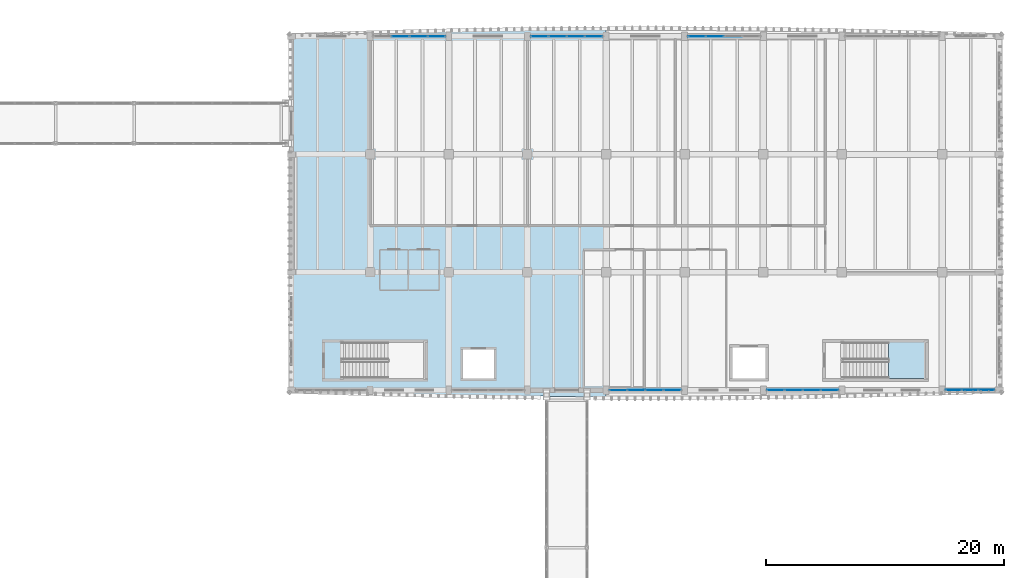
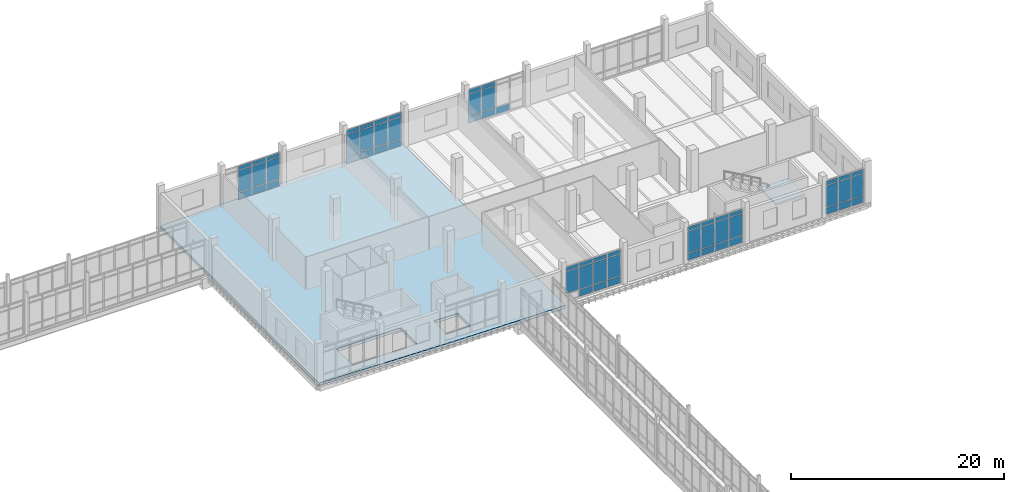
# One storey, part 78 of 125: 60 plates, 2 slabs, 7 elements without a shape of their own.
"""IFC4 building model written with IfcOpenShell, lengths in metres."""

from ifc_helpers import new_model, si_unit, direction, frame, origin, origin_2d, place, context, subcontext, project, spatial, polyline, rectangle, outline, extrude, material, layer, layer_set, type_object, element, aggregate, save


model = new_model("IFC4")

# Units and contexts
model_context = context("Model", 3, precision=1e-05, world=origin(), true_north=direction((0.0, 1.0)))
body_context = subcontext(model_context, "Body", "Model", "MODEL_VIEW")
ifc_project = project(units=[si_unit("LENGTHUNIT", "METRE"), si_unit("AREAUNIT", "SQUARE_METRE"), si_unit("VOLUMEUNIT", "CUBIC_METRE"), si_unit("PLANEANGLEUNIT", "RADIAN"), si_unit("MASSUNIT", "GRAM", prefix="KILO")], contexts=[model_context])

# Site, building, storey
site_placement = place(None, origin())
site = spatial("IfcSite", under=ifc_project, at=site_placement, CompositionType="ELEMENT")
building_placement = place(site_placement, origin())
building = spatial("IfcBuilding", under=site, at=building_placement, Name="Dornvale Research Institute", CompositionType="ELEMENT")
storey_placement = place(building_placement, frame((0.0, 0.0, 5.39990234375)))
storey = spatial("IfcBuildingStorey", under=building, at=storey_placement, Name="L01", CompositionType="ELEMENT", Elevation=5.39990234375)

# Curtain wall, plates
ifc_material_1 = material(Name="Low-E Argon Double Insulating Glazing Unit", Category="glass")
curtain_wall_type_1 = type_object("IfcCurtainWallType", Name="UnitisedCurtainWall_V4_6100x3950", PredefinedType="USERDEFINED", material=ifc_material_1)
curtain_wall_1_placement = place(storey_placement, origin())
curtain_wall_1 = element("IfcCurtainWall", 1, at=curtain_wall_1_placement, inside=storey, type_object=curtain_wall_type_1, Name="L01 V4 unitised curtain wall CW-11 #73", ObjectType="UNITISED CURTAIN WALL", PredefinedType="USERDEFINED")
ifc_material_2 = material(Name="Insulated Ceramic-Frit Spandrel Glass Panel", Category="glass")
ifc_layer_1 = layer(ifc_material_2, 0.0419921875)
ifc_layer_set_1 = layer_set([ifc_layer_1], Name="Insulated Ceramic-Frit Spandrel Glass Panel")
plate_type_1 = type_object("IfcPlateType", Name="CurtainPanel_Spandrel_42", PredefinedType="CURTAIN_PANEL", material=ifc_layer_set_1)
plate_1_placement = place(storey_placement, frame((127.9375, 122.10009765625, 0.065185546875), z_axis=(0.0, 0.0, 1.0), x_axis=(1.0, 0.0, 0.0)))
plate_1 = element("IfcPlate", 2, at=plate_1_placement, type_object=plate_type_1, Name="CW-11 panel 2.1", PredefinedType="CURTAIN_PANEL", context=body_context, shape_type="SweptSolid", body=[
    extrude(rectangle(XDim=1.4599609375, YDim=0.0419921875, at=origin_2d()), origin(), (0.0, 0.0, 1.0), 0.75244140625),
])
plate_2_placement = place(storey_placement, frame((129.46240234375, 122.10009765625, 0.065185546875), z_axis=(0.0, 0.0, 1.0), x_axis=(1.0, 0.0, 0.0)))
plate_2 = element("IfcPlate", 3, at=plate_2_placement, type_object=plate_type_1, Name="CW-11 panel 3.1", PredefinedType="CURTAIN_PANEL", context=body_context, shape_type="SweptSolid", body=[
    extrude(rectangle(XDim=1.4599609375, YDim=0.0419921875, at=origin_2d()), origin(), (0.0, 0.0, 1.0), 0.75244140625),
])
plate_3_placement = place(storey_placement, frame((130.97119140625, 122.10009765625, 0.065185546875), z_axis=(0.0, 0.0, 1.0), x_axis=(1.0, 0.0, 0.0)))
plate_3 = element("IfcPlate", 4, at=plate_3_placement, type_object=plate_type_1, Name="CW-11 panel 4.1", PredefinedType="CURTAIN_PANEL", context=body_context, shape_type="SweptSolid", body=[
    extrude(rectangle(XDim=1.427490234375, YDim=0.0419921875, at=origin_2d()), origin(), (0.0, 0.0, 1.0), 0.75244140625),
])

curtain_wall_2_placement = place(storey_placement, origin())
curtain_wall_2 = element("IfcCurtainWall", 5, at=curtain_wall_2_placement, inside=storey, type_object=curtain_wall_type_1, Name="L01 V4 unitised curtain wall CW-11 #74", ObjectType="UNITISED CURTAIN WALL", PredefinedType="USERDEFINED")
plate_4_placement = place(storey_placement, frame((139.628662109375, 122.10009765625, 0.065185546875), z_axis=(0.0, 0.0, 1.0), x_axis=(1.0, 0.0, 0.0)))
plate_4 = element("IfcPlate", 6, at=plate_4_placement, type_object=plate_type_1, Name="CW-11 panel 1.1", PredefinedType="CURTAIN_PANEL", context=body_context, shape_type="SweptSolid", body=[
    extrude(rectangle(XDim=1.427490234375, YDim=0.0419921875, at=origin_2d()), origin(), (0.0, 0.0, 1.0), 0.75244140625),
])
plate_5_placement = place(storey_placement, frame((141.137451171875, 122.10009765625, 0.065185546875), z_axis=(0.0, 0.0, 1.0), x_axis=(1.0, 0.0, 0.0)))
plate_5 = element("IfcPlate", 7, at=plate_5_placement, type_object=plate_type_1, Name="CW-11 panel 2.1", PredefinedType="CURTAIN_PANEL", context=body_context, shape_type="SweptSolid", body=[
    extrude(rectangle(XDim=1.4599609375, YDim=0.0419921875, at=origin_2d()), origin(), (0.0, 0.0, 1.0), 0.75244140625),
])
plate_6_placement = place(storey_placement, frame((142.66259765625, 122.10009765625, 0.065185546875), z_axis=(0.0, 0.0, 1.0), x_axis=(1.0, 0.0, 0.0)))
plate_6 = element("IfcPlate", 8, at=plate_6_placement, type_object=plate_type_1, Name="CW-11 panel 3.1", PredefinedType="CURTAIN_PANEL", context=body_context, shape_type="SweptSolid", body=[
    extrude(rectangle(XDim=1.4599609375, YDim=0.0419921875, at=origin_2d()), origin(), (0.0, 0.0, 1.0), 0.75244140625),
])
plate_7_placement = place(storey_placement, frame((144.171142578125, 122.10009765625, 0.065185546875), z_axis=(0.0, 0.0, 1.0), x_axis=(1.0, 0.0, 0.0)))
plate_7 = element("IfcPlate", 9, at=plate_7_placement, type_object=plate_type_1, Name="CW-11 panel 4.1", PredefinedType="CURTAIN_PANEL", context=body_context, shape_type="SweptSolid", body=[
    extrude(rectangle(XDim=1.427490234375, YDim=0.0419921875, at=origin_2d()), origin(), (0.0, 0.0, 1.0), 0.75244140625),
])

curtain_wall_3_placement = place(storey_placement, origin())
curtain_wall_3 = element("IfcCurtainWall", 10, at=curtain_wall_3_placement, inside=storey, type_object=curtain_wall_type_1, Name="L01 V4 unitised curtain wall CW-11 #75", ObjectType="UNITISED CURTAIN WALL", PredefinedType="USERDEFINED")
plate_8_placement = place(storey_placement, frame((152.828857421875, 122.10009765625, 0.065185546875), z_axis=(0.0, 0.0, 1.0), x_axis=(1.0, 0.0, 0.0)))
plate_8 = element("IfcPlate", 11, at=plate_8_placement, type_object=plate_type_1, Name="CW-11 panel 1.1", PredefinedType="CURTAIN_PANEL", context=body_context, shape_type="SweptSolid", body=[
    extrude(rectangle(XDim=1.427490234375, YDim=0.0419921875, at=origin_2d()), origin(), (0.0, 0.0, 1.0), 0.75244140625),
])
plate_9_placement = place(storey_placement, frame((154.33740234375, 122.10009765625, 0.065185546875), z_axis=(0.0, 0.0, 1.0), x_axis=(1.0, 0.0, 0.0)))
plate_9 = element("IfcPlate", 12, at=plate_9_placement, type_object=plate_type_1, Name="CW-11 panel 2.1", PredefinedType="CURTAIN_PANEL", context=body_context, shape_type="SweptSolid", body=[
    extrude(rectangle(XDim=1.4599609375, YDim=0.0419921875, at=origin_2d()), origin(), (0.0, 0.0, 1.0), 0.75244140625),
])
plate_10_placement = place(storey_placement, frame((155.862548828125, 122.10009765625, 0.065185546875), z_axis=(0.0, 0.0, 1.0), x_axis=(1.0, 0.0, 0.0)))
plate_10 = element("IfcPlate", 13, at=plate_10_placement, type_object=plate_type_1, Name="CW-11 panel 3.1", PredefinedType="CURTAIN_PANEL", context=body_context, shape_type="SweptSolid", body=[
    extrude(rectangle(XDim=1.4599609375, YDim=0.0419921875, at=origin_2d()), origin(), (0.0, 0.0, 1.0), 0.75244140625),
])

ifc_material_3 = material(Name="Low-E Argon Double Insulating Glazing Unit", Category="glass")
curtain_wall_type_2 = type_object("IfcCurtainWallType", Name="UnitisedCurtainWall_V4_4200x3950", PredefinedType="USERDEFINED", material=ifc_material_3)
curtain_wall_4_placement = place(storey_placement, origin())
curtain_wall_4 = element("IfcCurtainWall", 14, at=curtain_wall_4_placement, inside=storey, type_object=curtain_wall_type_2, Name="L01 V4 unitised curtain wall CW-13 #77", ObjectType="UNITISED CURTAIN WALL", PredefinedType="USERDEFINED")
plate_11_placement = place(storey_placement, frame((177.1337890625, 92.39990234375, 0.065185546875), z_axis=(0.0, 0.0, 1.0), x_axis=(-1.0, 0.0, 0.0)))
plate_11 = element("IfcPlate", 15, at=plate_11_placement, type_object=plate_type_1, Name="CW-13 panel 1.1", PredefinedType="CURTAIN_PANEL", context=body_context, shape_type="SweptSolid", body=[
    extrude(rectangle(XDim=1.302490234375, YDim=0.0419921875, at=origin_2d()), origin(), (0.0, 0.0, 1.0), 0.75244140625),
])
plate_12_placement = place(storey_placement, frame((175.75, 92.39990234375, 0.065185546875), z_axis=(0.0, 0.0, 1.0), x_axis=(-1.0, 0.0, 0.0)))
plate_12 = element("IfcPlate", 16, at=plate_12_placement, type_object=plate_type_1, Name="CW-13 panel 2.1", PredefinedType="CURTAIN_PANEL", context=body_context, shape_type="SweptSolid", body=[
    extrude(rectangle(XDim=1.3349609375, YDim=0.0419921875, at=origin_2d()), origin(), (0.0, 0.0, 1.0), 0.75244140625),
])
plate_13_placement = place(storey_placement, frame((174.3662109375, 92.39990234375, 0.065185546875), z_axis=(0.0, 0.0, 1.0), x_axis=(-1.0, 0.0, 0.0)))
plate_13 = element("IfcPlate", 17, at=plate_13_placement, type_object=plate_type_1, Name="CW-13 panel 3.1", PredefinedType="CURTAIN_PANEL", context=body_context, shape_type="SweptSolid", body=[
    extrude(rectangle(XDim=1.302490234375, YDim=0.0419921875, at=origin_2d()), origin(), (0.0, 0.0, 1.0), 0.75244140625),
])

curtain_wall_5_placement = place(storey_placement, origin())
curtain_wall_5 = element("IfcCurtainWall", 18, at=curtain_wall_5_placement, inside=storey, type_object=curtain_wall_type_1, Name="L01 V4 unitised curtain wall CW-11 #78", ObjectType="UNITISED CURTAIN WALL", PredefinedType="USERDEFINED")
plate_14_placement = place(storey_placement, frame((163.97119140625, 92.39990234375, 0.065185546875), z_axis=(0.0, 0.0, 1.0), x_axis=(-1.0, 0.0, 0.0)))
plate_14 = element("IfcPlate", 19, at=plate_14_placement, type_object=plate_type_1, Name="CW-11 panel 1.1", PredefinedType="CURTAIN_PANEL", context=body_context, shape_type="SweptSolid", body=[
    extrude(rectangle(XDim=1.427490234375, YDim=0.0419921875, at=origin_2d()), origin(), (0.0, 0.0, 1.0), 0.75244140625),
])
plate_15_placement = place(storey_placement, frame((162.46240234375, 92.39990234375, 0.065185546875), z_axis=(0.0, 0.0, 1.0), x_axis=(-1.0, 0.0, 0.0)))
plate_15 = element("IfcPlate", 20, at=plate_15_placement, type_object=plate_type_1, Name="CW-11 panel 2.1", PredefinedType="CURTAIN_PANEL", context=body_context, shape_type="SweptSolid", body=[
    extrude(rectangle(XDim=1.4599609375, YDim=0.0419921875, at=origin_2d()), origin(), (0.0, 0.0, 1.0), 0.75244140625),
])
plate_16_placement = place(storey_placement, frame((160.9375, 92.39990234375, 0.065185546875), z_axis=(0.0, 0.0, 1.0), x_axis=(-1.0, 0.0, 0.0)))
plate_16 = element("IfcPlate", 21, at=plate_16_placement, type_object=plate_type_1, Name="CW-11 panel 3.1", PredefinedType="CURTAIN_PANEL", context=body_context, shape_type="SweptSolid", body=[
    extrude(rectangle(XDim=1.4599609375, YDim=0.0419921875, at=origin_2d()), origin(), (0.0, 0.0, 1.0), 0.75244140625),
])
plate_17_placement = place(storey_placement, frame((159.4287109375, 92.39990234375, 0.065185546875), z_axis=(0.0, 0.0, 1.0), x_axis=(-1.0, 0.0, 0.0)))
plate_17 = element("IfcPlate", 22, at=plate_17_placement, type_object=plate_type_1, Name="CW-11 panel 4.1", PredefinedType="CURTAIN_PANEL", context=body_context, shape_type="SweptSolid", body=[
    extrude(rectangle(XDim=1.427490234375, YDim=0.0419921875, at=origin_2d()), origin(), (0.0, 0.0, 1.0), 0.75244140625),
])

curtain_wall_6_placement = place(storey_placement, origin())
curtain_wall_6 = element("IfcCurtainWall", 23, at=curtain_wall_6_placement, inside=storey, type_object=curtain_wall_type_1, Name="L01 V4 unitised curtain wall CW-11 #79", ObjectType="UNITISED CURTAIN WALL", PredefinedType="USERDEFINED")
plate_18_placement = place(storey_placement, frame((150.771240234375, 92.39990234375, 0.065185546875), z_axis=(0.0, 0.0, 1.0), x_axis=(-1.0, 0.0, 0.0)))
plate_18 = element("IfcPlate", 24, at=plate_18_placement, type_object=plate_type_1, Name="CW-11 panel 1.1", PredefinedType="CURTAIN_PANEL", context=body_context, shape_type="SweptSolid", body=[
    extrude(rectangle(XDim=1.427490234375, YDim=0.0419921875, at=origin_2d()), origin(), (0.0, 0.0, 1.0), 0.75244140625),
])
plate_19_placement = place(storey_placement, frame((149.262451171875, 92.39990234375, 0.065185546875), z_axis=(0.0, 0.0, 1.0), x_axis=(-1.0, 0.0, 0.0)))
plate_19 = element("IfcPlate", 25, at=plate_19_placement, type_object=plate_type_1, Name="CW-11 panel 2.1", PredefinedType="CURTAIN_PANEL", context=body_context, shape_type="SweptSolid", body=[
    extrude(rectangle(XDim=1.4599609375, YDim=0.0419921875, at=origin_2d()), origin(), (0.0, 0.0, 1.0), 0.75244140625),
])
plate_20_placement = place(storey_placement, frame((147.737548828125, 92.39990234375, 0.065185546875), z_axis=(0.0, 0.0, 1.0), x_axis=(-1.0, 0.0, 0.0)))
plate_20 = element("IfcPlate", 26, at=plate_20_placement, type_object=plate_type_1, Name="CW-11 panel 3.1", PredefinedType="CURTAIN_PANEL", context=body_context, shape_type="SweptSolid", body=[
    extrude(rectangle(XDim=1.4599609375, YDim=0.0419921875, at=origin_2d()), origin(), (0.0, 0.0, 1.0), 0.75244140625),
])

# Plate
ifc_material_4 = material(Name="Low-E Argon Double Insulating Glazing Unit", Category="glass")
ifc_layer_2 = layer(ifc_material_4, 0.028076171875)
ifc_layer_set_2 = layer_set([ifc_layer_2], Name="Low-E Argon Double Insulating Glazing Unit")
plate_type_2 = type_object("IfcPlateType", Name="CurtainPanel_Vision_28", PredefinedType="CURTAIN_PANEL", material=ifc_layer_set_2)
plate_21_placement = place(storey_placement, frame((127.9375, 122.10009765625, 0.88232421875), z_axis=(0.0, 0.0, 1.0), x_axis=(1.0, 0.0, 0.0)))
plate_21 = element("IfcPlate", 27, at=plate_21_placement, type_object=plate_type_2, Name="CW-11 panel 2.2", PredefinedType="CURTAIN_PANEL", context=body_context, shape_type="SweptSolid", body=[
    extrude(rectangle(XDim=1.4599609375, YDim=0.028076171875, at=origin_2d()), origin(), (0.0, 0.0, 1.0), 2.485107421875),
])

plate_22_placement = place(storey_placement, frame((127.9375, 122.10009765625, 3.4326171875), z_axis=(0.0, 0.0, 1.0), x_axis=(1.0, 0.0, 0.0)))
plate_22 = element("IfcPlate", 28, at=plate_22_placement, type_object=plate_type_2, Name="CW-11 panel 2.3", PredefinedType="CURTAIN_PANEL", context=body_context, shape_type="SweptSolid", body=[
    extrude(rectangle(XDim=1.4599609375, YDim=0.028076171875, at=origin_2d()), origin(), (0.0, 0.0, 1.0), 0.452392578125),
])

plate_23_placement = place(storey_placement, frame((129.46240234375, 122.10009765625, 0.88232421875), z_axis=(0.0, 0.0, 1.0), x_axis=(1.0, 0.0, 0.0)))
plate_23 = element("IfcPlate", 29, at=plate_23_placement, type_object=plate_type_2, Name="CW-11 panel 3.2", PredefinedType="CURTAIN_PANEL", context=body_context, shape_type="SweptSolid", body=[
    extrude(rectangle(XDim=1.4599609375, YDim=0.028076171875, at=origin_2d()), origin(), (0.0, 0.0, 1.0), 2.485107421875),
])

plate_24_placement = place(storey_placement, frame((129.46240234375, 122.10009765625, 3.4326171875), z_axis=(0.0, 0.0, 1.0), x_axis=(1.0, 0.0, 0.0)))
plate_24 = element("IfcPlate", 30, at=plate_24_placement, type_object=plate_type_2, Name="CW-11 panel 3.3", PredefinedType="CURTAIN_PANEL", context=body_context, shape_type="SweptSolid", body=[
    extrude(rectangle(XDim=1.4599609375, YDim=0.028076171875, at=origin_2d()), origin(), (0.0, 0.0, 1.0), 0.452392578125),
])

plate_25_placement = place(storey_placement, frame((130.97119140625, 122.10009765625, 0.88232421875), z_axis=(0.0, 0.0, 1.0), x_axis=(1.0, 0.0, 0.0)))
plate_25 = element("IfcPlate", 31, at=plate_25_placement, type_object=plate_type_2, Name="CW-11 panel 4.2", PredefinedType="CURTAIN_PANEL", context=body_context, shape_type="SweptSolid", body=[
    extrude(rectangle(XDim=1.427490234375, YDim=0.028076171875, at=origin_2d()), origin(), (0.0, 0.0, 1.0), 2.485107421875),
])

plate_26_placement = place(storey_placement, frame((130.97119140625, 122.10009765625, 3.4326171875), z_axis=(0.0, 0.0, 1.0), x_axis=(1.0, 0.0, 0.0)))
plate_26 = element("IfcPlate", 32, at=plate_26_placement, type_object=plate_type_2, Name="CW-11 panel 4.3", PredefinedType="CURTAIN_PANEL", context=body_context, shape_type="SweptSolid", body=[
    extrude(rectangle(XDim=1.427490234375, YDim=0.028076171875, at=origin_2d()), origin(), (0.0, 0.0, 1.0), 0.452392578125),
])

aggregate(curtain_wall_1, [plate_1, plate_21, plate_22, plate_2, plate_23, plate_24, plate_3, plate_25, plate_26])

plate_27_placement = place(storey_placement, frame((139.628662109375, 122.10009765625, 0.88232421875), z_axis=(0.0, 0.0, 1.0), x_axis=(1.0, 0.0, 0.0)))
plate_27 = element("IfcPlate", 33, at=plate_27_placement, type_object=plate_type_2, Name="CW-11 panel 1.2", PredefinedType="CURTAIN_PANEL", context=body_context, shape_type="SweptSolid", body=[
    extrude(rectangle(XDim=1.427490234375, YDim=0.028076171875, at=origin_2d()), origin(), (0.0, 0.0, 1.0), 2.485107421875),
])

plate_28_placement = place(storey_placement, frame((139.628662109375, 122.10009765625, 3.4326171875), z_axis=(0.0, 0.0, 1.0), x_axis=(1.0, 0.0, 0.0)))
plate_28 = element("IfcPlate", 34, at=plate_28_placement, type_object=plate_type_2, Name="CW-11 panel 1.3", PredefinedType="CURTAIN_PANEL", context=body_context, shape_type="SweptSolid", body=[
    extrude(rectangle(XDim=1.427490234375, YDim=0.028076171875, at=origin_2d()), origin(), (0.0, 0.0, 1.0), 0.452392578125),
])

plate_29_placement = place(storey_placement, frame((141.137451171875, 122.10009765625, 0.88232421875), z_axis=(0.0, 0.0, 1.0), x_axis=(1.0, 0.0, 0.0)))
plate_29 = element("IfcPlate", 35, at=plate_29_placement, type_object=plate_type_2, Name="CW-11 panel 2.2", PredefinedType="CURTAIN_PANEL", context=body_context, shape_type="SweptSolid", body=[
    extrude(rectangle(XDim=1.4599609375, YDim=0.028076171875, at=origin_2d()), origin(), (0.0, 0.0, 1.0), 2.485107421875),
])

plate_30_placement = place(storey_placement, frame((141.137451171875, 122.10009765625, 3.4326171875), z_axis=(0.0, 0.0, 1.0), x_axis=(1.0, 0.0, 0.0)))
plate_30 = element("IfcPlate", 36, at=plate_30_placement, type_object=plate_type_2, Name="CW-11 panel 2.3", PredefinedType="CURTAIN_PANEL", context=body_context, shape_type="SweptSolid", body=[
    extrude(rectangle(XDim=1.4599609375, YDim=0.028076171875, at=origin_2d()), origin(), (0.0, 0.0, 1.0), 0.452392578125),
])

plate_31_placement = place(storey_placement, frame((142.66259765625, 122.10009765625, 0.88232421875), z_axis=(0.0, 0.0, 1.0), x_axis=(1.0, 0.0, 0.0)))
plate_31 = element("IfcPlate", 37, at=plate_31_placement, type_object=plate_type_2, Name="CW-11 panel 3.2", PredefinedType="CURTAIN_PANEL", context=body_context, shape_type="SweptSolid", body=[
    extrude(rectangle(XDim=1.4599609375, YDim=0.028076171875, at=origin_2d()), origin(), (0.0, 0.0, 1.0), 2.485107421875),
])

plate_32_placement = place(storey_placement, frame((142.66259765625, 122.10009765625, 3.4326171875), z_axis=(0.0, 0.0, 1.0), x_axis=(1.0, 0.0, 0.0)))
plate_32 = element("IfcPlate", 38, at=plate_32_placement, type_object=plate_type_2, Name="CW-11 panel 3.3", PredefinedType="CURTAIN_PANEL", context=body_context, shape_type="SweptSolid", body=[
    extrude(rectangle(XDim=1.4599609375, YDim=0.028076171875, at=origin_2d()), origin(), (0.0, 0.0, 1.0), 0.452392578125),
])

plate_33_placement = place(storey_placement, frame((144.171142578125, 122.10009765625, 0.88232421875), z_axis=(0.0, 0.0, 1.0), x_axis=(1.0, 0.0, 0.0)))
plate_33 = element("IfcPlate", 39, at=plate_33_placement, type_object=plate_type_2, Name="CW-11 panel 4.2", PredefinedType="CURTAIN_PANEL", context=body_context, shape_type="SweptSolid", body=[
    extrude(rectangle(XDim=1.427490234375, YDim=0.028076171875, at=origin_2d()), origin(), (0.0, 0.0, 1.0), 2.485107421875),
])

plate_34_placement = place(storey_placement, frame((144.171142578125, 122.10009765625, 3.4326171875), z_axis=(0.0, 0.0, 1.0), x_axis=(1.0, 0.0, 0.0)))
plate_34 = element("IfcPlate", 40, at=plate_34_placement, type_object=plate_type_2, Name="CW-11 panel 4.3", PredefinedType="CURTAIN_PANEL", context=body_context, shape_type="SweptSolid", body=[
    extrude(rectangle(XDim=1.427490234375, YDim=0.028076171875, at=origin_2d()), origin(), (0.0, 0.0, 1.0), 0.452392578125),
])

aggregate(curtain_wall_2, [plate_4, plate_27, plate_28, plate_5, plate_29, plate_30, plate_6, plate_31, plate_32, plate_7, plate_33, plate_34])

plate_35_placement = place(storey_placement, frame((152.828857421875, 122.10009765625, 0.88232421875), z_axis=(0.0, 0.0, 1.0), x_axis=(1.0, 0.0, 0.0)))
plate_35 = element("IfcPlate", 41, at=plate_35_placement, type_object=plate_type_2, Name="CW-11 panel 1.2", PredefinedType="CURTAIN_PANEL", context=body_context, shape_type="SweptSolid", body=[
    extrude(rectangle(XDim=1.427490234375, YDim=0.028076171875, at=origin_2d()), origin(), (0.0, 0.0, 1.0), 2.485107421875),
])

plate_36_placement = place(storey_placement, frame((152.828857421875, 122.10009765625, 3.4326171875), z_axis=(0.0, 0.0, 1.0), x_axis=(1.0, 0.0, 0.0)))
plate_36 = element("IfcPlate", 42, at=plate_36_placement, type_object=plate_type_2, Name="CW-11 panel 1.3", PredefinedType="CURTAIN_PANEL", context=body_context, shape_type="SweptSolid", body=[
    extrude(rectangle(XDim=1.427490234375, YDim=0.028076171875, at=origin_2d()), origin(), (0.0, 0.0, 1.0), 0.452392578125),
])

plate_37_placement = place(storey_placement, frame((154.33740234375, 122.10009765625, 0.88232421875), z_axis=(0.0, 0.0, 1.0), x_axis=(1.0, 0.0, 0.0)))
plate_37 = element("IfcPlate", 43, at=plate_37_placement, type_object=plate_type_2, Name="CW-11 panel 2.2", PredefinedType="CURTAIN_PANEL", context=body_context, shape_type="SweptSolid", body=[
    extrude(rectangle(XDim=1.4599609375, YDim=0.028076171875, at=origin_2d()), origin(), (0.0, 0.0, 1.0), 2.485107421875),
])

plate_38_placement = place(storey_placement, frame((154.33740234375, 122.10009765625, 3.4326171875), z_axis=(0.0, 0.0, 1.0), x_axis=(1.0, 0.0, 0.0)))
plate_38 = element("IfcPlate", 44, at=plate_38_placement, type_object=plate_type_2, Name="CW-11 panel 2.3", PredefinedType="CURTAIN_PANEL", context=body_context, shape_type="SweptSolid", body=[
    extrude(rectangle(XDim=1.4599609375, YDim=0.028076171875, at=origin_2d()), origin(), (0.0, 0.0, 1.0), 0.452392578125),
])

aggregate(curtain_wall_3, [plate_8, plate_35, plate_36, plate_9, plate_37, plate_38, plate_10])

plate_39_placement = place(storey_placement, frame((177.1337890625, 92.39990234375, 0.88232421875), z_axis=(0.0, 0.0, 1.0), x_axis=(-1.0, 0.0, 0.0)))
plate_39 = element("IfcPlate", 45, at=plate_39_placement, type_object=plate_type_2, Name="CW-13 panel 1.2", PredefinedType="CURTAIN_PANEL", context=body_context, shape_type="SweptSolid", body=[
    extrude(rectangle(XDim=1.302490234375, YDim=0.028076171875, at=origin_2d()), origin(), (0.0, 0.0, 1.0), 2.485107421875),
])

plate_40_placement = place(storey_placement, frame((177.1337890625, 92.39990234375, 3.4326171875), z_axis=(0.0, 0.0, 1.0), x_axis=(-1.0, 0.0, 0.0)))
plate_40 = element("IfcPlate", 46, at=plate_40_placement, type_object=plate_type_2, Name="CW-13 panel 1.3", PredefinedType="CURTAIN_PANEL", context=body_context, shape_type="SweptSolid", body=[
    extrude(rectangle(XDim=1.302490234375, YDim=0.028076171875, at=origin_2d()), origin(), (0.0, 0.0, 1.0), 0.452392578125),
])

plate_41_placement = place(storey_placement, frame((175.75, 92.39990234375, 0.88232421875), z_axis=(0.0, 0.0, 1.0), x_axis=(-1.0, 0.0, 0.0)))
plate_41 = element("IfcPlate", 47, at=plate_41_placement, type_object=plate_type_2, Name="CW-13 panel 2.2", PredefinedType="CURTAIN_PANEL", context=body_context, shape_type="SweptSolid", body=[
    extrude(rectangle(XDim=1.3349609375, YDim=0.028076171875, at=origin_2d()), origin(), (0.0, 0.0, 1.0), 2.485107421875),
])

plate_42_placement = place(storey_placement, frame((175.75, 92.39990234375, 3.4326171875), z_axis=(0.0, 0.0, 1.0), x_axis=(-1.0, 0.0, 0.0)))
plate_42 = element("IfcPlate", 48, at=plate_42_placement, type_object=plate_type_2, Name="CW-13 panel 2.3", PredefinedType="CURTAIN_PANEL", context=body_context, shape_type="SweptSolid", body=[
    extrude(rectangle(XDim=1.3349609375, YDim=0.028076171875, at=origin_2d()), origin(), (0.0, 0.0, 1.0), 0.452392578125),
])

plate_43_placement = place(storey_placement, frame((174.3662109375, 92.39990234375, 0.88232421875), z_axis=(0.0, 0.0, 1.0), x_axis=(-1.0, 0.0, 0.0)))
plate_43 = element("IfcPlate", 49, at=plate_43_placement, type_object=plate_type_2, Name="CW-13 panel 3.2", PredefinedType="CURTAIN_PANEL", context=body_context, shape_type="SweptSolid", body=[
    extrude(rectangle(XDim=1.302490234375, YDim=0.028076171875, at=origin_2d()), origin(), (0.0, 0.0, 1.0), 2.485107421875),
])

plate_44_placement = place(storey_placement, frame((174.3662109375, 92.39990234375, 3.4326171875), z_axis=(0.0, 0.0, 1.0), x_axis=(-1.0, 0.0, 0.0)))
plate_44 = element("IfcPlate", 50, at=plate_44_placement, type_object=plate_type_2, Name="CW-13 panel 3.3", PredefinedType="CURTAIN_PANEL", context=body_context, shape_type="SweptSolid", body=[
    extrude(rectangle(XDim=1.302490234375, YDim=0.028076171875, at=origin_2d()), origin(), (0.0, 0.0, 1.0), 0.452392578125),
])

aggregate(curtain_wall_4, [plate_11, plate_39, plate_40, plate_12, plate_41, plate_42, plate_13, plate_43, plate_44])

plate_45_placement = place(storey_placement, frame((163.97119140625, 92.39990234375, 0.88232421875), z_axis=(0.0, 0.0, 1.0), x_axis=(-1.0, 0.0, 0.0)))
plate_45 = element("IfcPlate", 51, at=plate_45_placement, type_object=plate_type_2, Name="CW-11 panel 1.2", PredefinedType="CURTAIN_PANEL", context=body_context, shape_type="SweptSolid", body=[
    extrude(rectangle(XDim=1.427490234375, YDim=0.028076171875, at=origin_2d()), origin(), (0.0, 0.0, 1.0), 2.485107421875),
])

plate_46_placement = place(storey_placement, frame((163.97119140625, 92.39990234375, 3.4326171875), z_axis=(0.0, 0.0, 1.0), x_axis=(-1.0, 0.0, 0.0)))
plate_46 = element("IfcPlate", 52, at=plate_46_placement, type_object=plate_type_2, Name="CW-11 panel 1.3", PredefinedType="CURTAIN_PANEL", context=body_context, shape_type="SweptSolid", body=[
    extrude(rectangle(XDim=1.427490234375, YDim=0.028076171875, at=origin_2d()), origin(), (0.0, 0.0, 1.0), 0.452392578125),
])

plate_47_placement = place(storey_placement, frame((162.46240234375, 92.39990234375, 0.88232421875), z_axis=(0.0, 0.0, 1.0), x_axis=(-1.0, 0.0, 0.0)))
plate_47 = element("IfcPlate", 53, at=plate_47_placement, type_object=plate_type_2, Name="CW-11 panel 2.2", PredefinedType="CURTAIN_PANEL", context=body_context, shape_type="SweptSolid", body=[
    extrude(rectangle(XDim=1.4599609375, YDim=0.028076171875, at=origin_2d()), origin(), (0.0, 0.0, 1.0), 2.485107421875),
])

plate_48_placement = place(storey_placement, frame((162.46240234375, 92.39990234375, 3.4326171875), z_axis=(0.0, 0.0, 1.0), x_axis=(-1.0, 0.0, 0.0)))
plate_48 = element("IfcPlate", 54, at=plate_48_placement, type_object=plate_type_2, Name="CW-11 panel 2.3", PredefinedType="CURTAIN_PANEL", context=body_context, shape_type="SweptSolid", body=[
    extrude(rectangle(XDim=1.4599609375, YDim=0.028076171875, at=origin_2d()), origin(), (0.0, 0.0, 1.0), 0.452392578125),
])

plate_49_placement = place(storey_placement, frame((160.9375, 92.39990234375, 0.88232421875), z_axis=(0.0, 0.0, 1.0), x_axis=(-1.0, 0.0, 0.0)))
plate_49 = element("IfcPlate", 55, at=plate_49_placement, type_object=plate_type_2, Name="CW-11 panel 3.2", PredefinedType="CURTAIN_PANEL", context=body_context, shape_type="SweptSolid", body=[
    extrude(rectangle(XDim=1.4599609375, YDim=0.028076171875, at=origin_2d()), origin(), (0.0, 0.0, 1.0), 2.485107421875),
])

plate_50_placement = place(storey_placement, frame((160.9375, 92.39990234375, 3.4326171875), z_axis=(0.0, 0.0, 1.0), x_axis=(-1.0, 0.0, 0.0)))
plate_50 = element("IfcPlate", 56, at=plate_50_placement, type_object=plate_type_2, Name="CW-11 panel 3.3", PredefinedType="CURTAIN_PANEL", context=body_context, shape_type="SweptSolid", body=[
    extrude(rectangle(XDim=1.4599609375, YDim=0.028076171875, at=origin_2d()), origin(), (0.0, 0.0, 1.0), 0.452392578125),
])

plate_51_placement = place(storey_placement, frame((159.4287109375, 92.39990234375, 0.88232421875), z_axis=(0.0, 0.0, 1.0), x_axis=(-1.0, 0.0, 0.0)))
plate_51 = element("IfcPlate", 57, at=plate_51_placement, type_object=plate_type_2, Name="CW-11 panel 4.2", PredefinedType="CURTAIN_PANEL", context=body_context, shape_type="SweptSolid", body=[
    extrude(rectangle(XDim=1.427490234375, YDim=0.028076171875, at=origin_2d()), origin(), (0.0, 0.0, 1.0), 2.485107421875),
])

plate_52_placement = place(storey_placement, frame((159.4287109375, 92.39990234375, 3.4326171875), z_axis=(0.0, 0.0, 1.0), x_axis=(-1.0, 0.0, 0.0)))
plate_52 = element("IfcPlate", 58, at=plate_52_placement, type_object=plate_type_2, Name="CW-11 panel 4.3", PredefinedType="CURTAIN_PANEL", context=body_context, shape_type="SweptSolid", body=[
    extrude(rectangle(XDim=1.427490234375, YDim=0.028076171875, at=origin_2d()), origin(), (0.0, 0.0, 1.0), 0.452392578125),
])

aggregate(curtain_wall_5, [plate_14, plate_45, plate_46, plate_15, plate_47, plate_48, plate_16, plate_49, plate_50, plate_17, plate_51, plate_52])

plate_53_placement = place(storey_placement, frame((150.771240234375, 92.39990234375, 0.88232421875), z_axis=(0.0, 0.0, 1.0), x_axis=(-1.0, 0.0, 0.0)))
plate_53 = element("IfcPlate", 59, at=plate_53_placement, type_object=plate_type_2, Name="CW-11 panel 1.2", PredefinedType="CURTAIN_PANEL", context=body_context, shape_type="SweptSolid", body=[
    extrude(rectangle(XDim=1.427490234375, YDim=0.028076171875, at=origin_2d()), origin(), (0.0, 0.0, 1.0), 2.485107421875),
])

plate_54_placement = place(storey_placement, frame((150.771240234375, 92.39990234375, 3.4326171875), z_axis=(0.0, 0.0, 1.0), x_axis=(-1.0, 0.0, 0.0)))
plate_54 = element("IfcPlate", 60, at=plate_54_placement, type_object=plate_type_2, Name="CW-11 panel 1.3", PredefinedType="CURTAIN_PANEL", context=body_context, shape_type="SweptSolid", body=[
    extrude(rectangle(XDim=1.427490234375, YDim=0.028076171875, at=origin_2d()), origin(), (0.0, 0.0, 1.0), 0.452392578125),
])

plate_55_placement = place(storey_placement, frame((149.262451171875, 92.39990234375, 0.88232421875), z_axis=(0.0, 0.0, 1.0), x_axis=(-1.0, 0.0, 0.0)))
plate_55 = element("IfcPlate", 61, at=plate_55_placement, type_object=plate_type_2, Name="CW-11 panel 2.2", PredefinedType="CURTAIN_PANEL", context=body_context, shape_type="SweptSolid", body=[
    extrude(rectangle(XDim=1.4599609375, YDim=0.028076171875, at=origin_2d()), origin(), (0.0, 0.0, 1.0), 2.485107421875),
])

plate_56_placement = place(storey_placement, frame((149.262451171875, 92.39990234375, 3.4326171875), z_axis=(0.0, 0.0, 1.0), x_axis=(-1.0, 0.0, 0.0)))
plate_56 = element("IfcPlate", 62, at=plate_56_placement, type_object=plate_type_2, Name="CW-11 panel 2.3", PredefinedType="CURTAIN_PANEL", context=body_context, shape_type="SweptSolid", body=[
    extrude(rectangle(XDim=1.4599609375, YDim=0.028076171875, at=origin_2d()), origin(), (0.0, 0.0, 1.0), 0.452392578125),
])

plate_57_placement = place(storey_placement, frame((147.737548828125, 92.39990234375, 0.88232421875), z_axis=(0.0, 0.0, 1.0), x_axis=(-1.0, 0.0, 0.0)))
plate_57 = element("IfcPlate", 63, at=plate_57_placement, type_object=plate_type_2, Name="CW-11 panel 3.2", PredefinedType="CURTAIN_PANEL", context=body_context, shape_type="SweptSolid", body=[
    extrude(rectangle(XDim=1.4599609375, YDim=0.028076171875, at=origin_2d()), origin(), (0.0, 0.0, 1.0), 2.485107421875),
])

plate_58_placement = place(storey_placement, frame((147.737548828125, 92.39990234375, 3.4326171875), z_axis=(0.0, 0.0, 1.0), x_axis=(-1.0, 0.0, 0.0)))
plate_58 = element("IfcPlate", 64, at=plate_58_placement, type_object=plate_type_2, Name="CW-11 panel 3.3", PredefinedType="CURTAIN_PANEL", context=body_context, shape_type="SweptSolid", body=[
    extrude(rectangle(XDim=1.4599609375, YDim=0.028076171875, at=origin_2d()), origin(), (0.0, 0.0, 1.0), 0.452392578125),
])

plate_59_placement = place(storey_placement, frame((146.228759765625, 92.39990234375, 0.88232421875), z_axis=(0.0, 0.0, 1.0), x_axis=(-1.0, 0.0, 0.0)))
plate_59 = element("IfcPlate", 65, at=plate_59_placement, type_object=plate_type_2, Name="CW-11 panel 4.2", PredefinedType="CURTAIN_PANEL", context=body_context, shape_type="SweptSolid", body=[
    extrude(rectangle(XDim=1.427490234375, YDim=0.028076171875, at=origin_2d()), origin(), (0.0, 0.0, 1.0), 2.485107421875),
])

plate_60_placement = place(storey_placement, frame((146.228759765625, 92.39990234375, 3.4326171875), z_axis=(0.0, 0.0, 1.0), x_axis=(-1.0, 0.0, 0.0)))
plate_60 = element("IfcPlate", 66, at=plate_60_placement, type_object=plate_type_2, Name="CW-11 panel 4.3", PredefinedType="CURTAIN_PANEL", context=body_context, shape_type="SweptSolid", body=[
    extrude(rectangle(XDim=1.427490234375, YDim=0.028076171875, at=origin_2d()), origin(), (0.0, 0.0, 1.0), 0.452392578125),
])

aggregate(curtain_wall_6, [plate_18, plate_53, plate_54, plate_19, plate_55, plate_56, plate_20, plate_57, plate_58, plate_59, plate_60])

# Slab
ifc_material_5 = material(Name="Concrete f'c 45 MPa (C35/45)", Category="concrete")
ifc_layer_3 = layer(ifc_material_5, 0.340087890625)
ifc_layer_set_3 = layer_set([ifc_layer_3], Name="Concrete f'c 45 MPa (C35/45)")
slab_type_1 = type_object("IfcSlabType", Name="FloorSlab_WetLab_340", PredefinedType="FLOOR", material=ifc_layer_set_3)
slab_1_placement = place(storey_placement, frame((0.0, 0.0, -0.33984375)))
element("IfcSlab", 67, at=slab_1_placement, inside=storey, type_object=slab_type_1, Name="L01 V4 W floor slab", PredefinedType="FLOOR", context=body_context, shape_type="SweptSolid", body=[
    extrude(outline(polyline([(143.550048828125, 91.865234375), (141.89990234375, 91.877197265625), (140.25, 91.892333984375), (138.60009765625, 91.9111328125), (136.949951171875, 91.93310546875), (135.300048828125, 91.95849609375), (133.64990234375, 91.987548828125), (132.0, 92.019775390625), (130.35009765625, 92.055419921875), (128.699951171875, 92.094482421875), (127.050048828125, 92.136962890625), (125.39990234375, 92.1826171875), (123.75, 92.23193359375), (122.10009765625, 92.28466796875), (120.449951171875, 92.340576171875), (118.800048828125, 92.39990234375), (118.800048828125, 122.10009765625), (120.449951171875, 122.159423828125), (122.10009765625, 122.21533203125), (123.75, 122.26806640625), (125.39990234375, 122.3173828125), (127.050048828125, 122.363037109375), (128.699951171875, 122.405517578125), (130.35009765625, 122.444580078125), (132.0, 122.480224609375), (133.64990234375, 122.512451171875), (135.300048828125, 122.54150390625), (136.949951171875, 122.56689453125), (138.60009765625, 122.5888671875), (140.25, 122.607666015625), (141.89990234375, 122.622802734375), (143.550048828125, 122.634765625), (145.199951171875, 122.643310546875), (145.199951171875, 91.856689453125), (143.550048828125, 91.865234375)]), holes=[polyline([(123.02001953125, 93.39990234375), (130.0, 93.39990234375), (130.0, 96.39990234375), (123.02001953125, 96.39990234375), (123.02001953125, 93.39990234375)]), polyline([(133.199951171875, 93.39990234375), (135.800048828125, 93.39990234375), (135.800048828125, 95.800048828125), (133.199951171875, 95.800048828125), (133.199951171875, 93.39990234375)])]), origin(), (0.0, 0.0, 1.0), 0.33984375),
])

# Stair, slab
ifc_material_6 = material(Name="Concrete f'c 45 MPa (C35/45)", Category="concrete")
stair_type = type_object("IfcStairType", Name="HalfTurnStair_RC", PredefinedType="HALF_TURN_STAIR", material=ifc_material_6)
stair_placement = place(storey_placement, origin())
stair = element("IfcStair", 68, at=stair_placement, inside=storey, type_object=stair_type, Name="L01 Exit stair ST-4", PredefinedType="HALF_TURN_STAIR")
ifc_material_7 = material(Name="Concrete f'c 45 MPa (C35/45)", Category="concrete")
ifc_layer_4 = layer(ifc_material_7, 0.199951171875)
ifc_layer_set_4 = layer_set([ifc_layer_4], Name="Concrete f'c 45 MPa (C35/45)")
slab_type_2 = type_object("IfcSlabType", Name="Landing_Stair_200", PredefinedType="LANDING", material=ifc_layer_set_4)
slab_2_placement = place(storey_placement, frame((0.0, 0.0, 2.2001953125)))
slab_2 = element("IfcSlab", 69, at=slab_2_placement, type_object=slab_type_2, Name="ST-4 landing 1", PredefinedType="LANDING", context=body_context, shape_type="SweptSolid", body=[
    extrude(outline(polyline([(168.889892578125, 93.3701171875), (168.889892578125, 96.429931640625), (172.030029296875, 96.429931640625), (172.030029296875, 93.3701171875), (168.889892578125, 93.3701171875)])), origin(), (0.0, 0.0, 1.0), 0.199951171875),
])
aggregate(stair, [slab_2])

save(model, "model.ifc")
